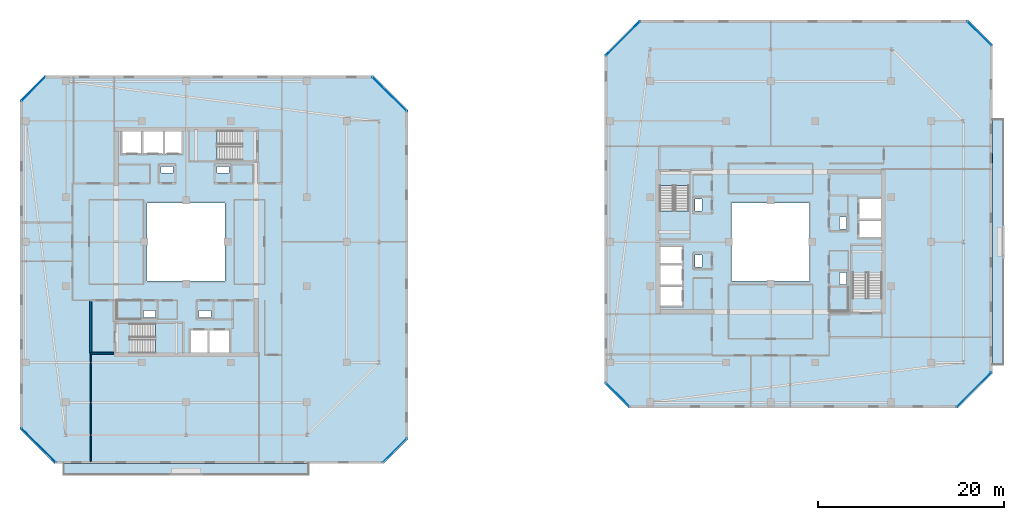
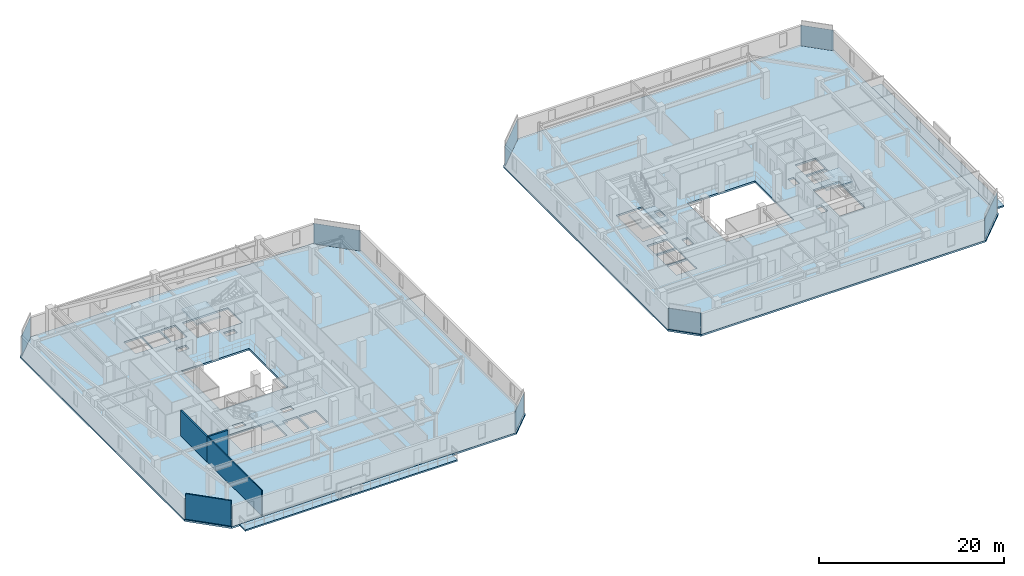
# One storey, part 20 of 34: 8 plates, 8 slabs, 4 walls, 12 elements without a shape of their own.
"""IFC4 building model written with IfcOpenShell, lengths in metres."""

import ifcopenshell
import ifcopenshell.guid

model = None  # the IFC model being written
_history = None  # IfcOwnerHistory: only IFC2X3 demands one
_inside = {}  # id of a spatial element -> (the spatial element, [elements in it])
_under = {}  # id of a project, library or spatial element -> (it, [spatial elements below it])
_declared = {}  # id of a project -> (the project, [libraries it declares])
_typed = {}  # id of a type object -> (the type object, [elements of that type])
_made_of = {}  # id of a material, layer set ... -> (it, [elements and type objects made of it])


def new_model(schema):
    """Start an empty IFC model of exactly this schema.

    Asked for "IFC4X3", IfcOpenShell would pick the latest addendum, in which some entities
    have other attributes; the version numbers below select the first issue.
    IFC2X3 requires an IfcOwnerHistory on every rooted entity: one is made here for all.
    """
    global model, _history
    if schema == "IFC4X3":
        model = ifcopenshell.file(schema_version=(4, 3, 0, 0))
    else:
        model = ifcopenshell.file(schema=schema)
    _inside.clear()
    _under.clear()
    _declared.clear()
    _typed.clear()
    _made_of.clear()
    _history = None
    if model.schema == "IFC2X3":
        org = make("IfcOrganization", Name="unknown")
        user = make(
            "IfcPersonAndOrganization",
            ThePerson=make("IfcPerson", FamilyName="unknown"),
            TheOrganization=org,
        )
        app = make(
            "IfcApplication",
            ApplicationDeveloper=org,
            Version="unknown",
            ApplicationFullName="unknown",
            ApplicationIdentifier="unknown",
        )
        _history = make(
            "IfcOwnerHistory",
            OwningUser=user,
            OwningApplication=app,
            ChangeAction="ADDED",
            CreationDate=0,
        )
    return model


def make(cls, **values):
    """One entity of the class cls with the attributes given. An attribute that is None is left unset."""
    return model.create_entity(
        cls, **{name: value for name, value in values.items() if value is not None}
    )


def rooted(cls, **values):
    """An entity with a GlobalId (a new one), such as an element, a storey or a relation."""
    return make(cls, GlobalId=ifcopenshell.guid.new(), OwnerHistory=_history, **values)


def si_unit(unit_type, name, prefix=None):
    """IfcSIUnit, for example si_unit("LENGTHUNIT", "METRE", prefix="MILLI")."""
    return make("IfcSIUnit", UnitType=unit_type, Prefix=prefix, Name=name)


def assignment(units):
    """IfcUnitAssignment: the units of a project."""
    return None if units is None else make("IfcUnitAssignment", Units=units)


def point(xyz):
    """IfcCartesianPoint."""
    return None if xyz is None else make("IfcCartesianPoint", Coordinates=xyz)


def direction(xyz):
    """IfcDirection."""
    return None if xyz is None else make("IfcDirection", DirectionRatios=xyz)


def frame(location, z_axis=None, x_axis=None):
    """IfcAxis2Placement3D, a coordinate frame: its origin and axes. An axis left out is left unset."""
    return make(
        "IfcAxis2Placement3D",
        Location=point(location),
        Axis=direction(z_axis),
        RefDirection=direction(x_axis),
    )


def frame_2d(location, x_axis=None):
    """IfcAxis2Placement2D, a coordinate frame in the plane: its origin and x axis."""
    return make(
        "IfcAxis2Placement2D", Location=point(location), RefDirection=direction(x_axis)
    )


def origin():
    """The frame at (0, 0, 0) with its axes left unset."""
    return frame((0.0, 0.0, 0.0))


def origin_2d():
    """The frame at (0, 0) in the plane with its x axis left unset."""
    return frame_2d((0.0, 0.0))


def place(relative_to, where):
    """IfcLocalPlacement: puts the frame where relative to a parent placement (None: the world)."""
    return make(
        "IfcLocalPlacement", PlacementRelTo=relative_to, RelativePlacement=where
    )


def context(
    kind, dimensions, precision=None, world=None, true_north=None, identifier=None
):
    """IfcGeometricRepresentationContext, for example the 3D "Model" context."""
    return make(
        "IfcGeometricRepresentationContext",
        ContextIdentifier=identifier,
        ContextType=kind,
        CoordinateSpaceDimension=dimensions,
        Precision=precision,
        WorldCoordinateSystem=world,
        TrueNorth=true_north,
    )


def subcontext(parent, identifier, kind, view, scale=None):
    """IfcGeometricRepresentationSubContext, for example "Body" below "Model"."""
    return make(
        "IfcGeometricRepresentationSubContext",
        ContextIdentifier=identifier,
        ContextType=kind,
        ParentContext=parent,
        TargetScale=scale,
        TargetView=view,
    )


def project(units=None, contexts=None):
    """IfcProject with its units and contexts."""
    return rooted(
        "IfcProject",
        Name="project",
        RepresentationContexts=contexts,
        UnitsInContext=assignment(units),
    )


def spatial(cls, under=None, at=None, **own):
    """A site, building, storey or space (cls), placed at a placement, below another one or the project."""
    s = rooted(cls, ObjectPlacement=at, **own)
    if under is not None:
        _under.setdefault(under.id(), (under, []))[1].append(s)
    return s


def polyline(points):
    """IfcPolyline through the points."""
    return make("IfcPolyline", Points=[point(p) for p in points])


def profile(cls, at=None, kind="AREA", **sizes):
    """A parametric profile (cls). Its sizes go by their IFC names, for example OverallWidth=200.0."""
    return make(cls, ProfileType=kind, Position=at, **sizes)


def rectangle(**sizes):
    """IfcRectangleProfileDef."""
    return profile("IfcRectangleProfileDef", **sizes)


def outline(outer, holes=None, kind="AREA"):
    """IfcArbitraryClosedProfileDef: a profile drawn as a closed curve; with holes, ...WithVoids."""
    if holes is None:
        return make("IfcArbitraryClosedProfileDef", ProfileType=kind, OuterCurve=outer)
    return make(
        "IfcArbitraryProfileDefWithVoids",
        ProfileType=kind,
        OuterCurve=outer,
        InnerCurves=holes,
    )


def extrude(swept, where, along, depth):
    """IfcExtrudedAreaSolid: the profile swept, set in the frame where, extruded along a direction by depth."""
    return make(
        "IfcExtrudedAreaSolid",
        SweptArea=swept,
        Position=where,
        ExtrudedDirection=direction(along),
        Depth=depth,
    )


def shape(context_of_items, identifier, shape_type, items):
    """IfcShapeRepresentation: the items that make up one representation, for example the "Body"."""
    return make(
        "IfcShapeRepresentation",
        ContextOfItems=context_of_items,
        RepresentationIdentifier=identifier,
        RepresentationType=shape_type,
        Items=items,
    )


def material(Name=None, Category=None):
    """IfcMaterial."""
    return make("IfcMaterial", Name=Name, Category=Category)


def layer(
    of_material, thickness, ventilated=None, Name=None, Category=None, Priority=None
):
    """IfcMaterialLayer: one layer of a wall or slab, of a material (None: an air gap)."""
    return make(
        "IfcMaterialLayer",
        Material=of_material,
        LayerThickness=thickness,
        IsVentilated=ventilated,
        Name=Name,
        Category=Category,
        Priority=Priority,
    )


def layer_set(layers, Name=None):
    """IfcMaterialLayerSet."""
    return make("IfcMaterialLayerSet", MaterialLayers=layers, LayerSetName=Name)


def made_of(thing, what):
    """Note that an element or type object is made of a material, layer set ...; save() writes the relation."""
    if what is not None:
        _made_of.setdefault(what.id(), (what, []))[1].append(thing)
    return thing


def type_object(cls, material=None, **own):
    """A type object (cls), such as IfcWallType, which elements share."""
    return made_of(rooted(cls, **own), material)


def element(
    cls,
    number,
    at=None,
    inside=None,
    cuts=None,
    type_object=None,
    material=None,
    context=None,
    identifier="Body",
    shape_type=None,
    held_by="IfcProductDefinitionShape",
    body=None,
    shapes=None,
    **own,
):
    """One element of the class cls, such as IfcWall. Its Tag is "e" and its number.

    at: its placement. inside: the storey or other place that contains it. cuts: it is an
    opening in that element (IfcRelVoidsElement). A single representation is given by context,
    identifier, shape_type and body (its items); several are given by shapes. held_by: the class
    of the entity that holds the representations. save() writes the other relations.
    """
    e = rooted(cls, Tag="e%d" % number, ObjectPlacement=at, **own)
    if body is not None:
        shapes = [shape(context, identifier, shape_type, body)]
    if shapes is not None:
        e.Representation = make(held_by, Representations=shapes)
    if inside is not None:
        _inside.setdefault(inside.id(), (inside, []))[1].append(e)
    if cuts is not None:
        rooted(
            "IfcRelVoidsElement", RelatingBuildingElement=cuts, RelatedOpeningElement=e
        )
    if type_object is not None:
        _typed.setdefault(type_object.id(), (type_object, []))[1].append(e)
    return made_of(e, material)


def aggregate(whole, parts):
    """IfcRelAggregates: a whole, such as a stair, and the parts it consists of."""
    return rooted("IfcRelAggregates", RelatingObject=whole, RelatedObjects=parts)


def save(model, path):
    """Write the relations noted so far, then the file.

    IfcRelAggregates (storeys below a building ...), IfcRelContainedInSpatialStructure (elements
    in a storey), IfcRelDefinesByType, IfcRelAssociatesMaterial and IfcRelDeclares: one each for
    every whole, place, type object, material and project.
    """
    for whole, parts in _under.values():
        aggregate(whole, parts)
    for where, things in _inside.values():
        rooted(
            "IfcRelContainedInSpatialStructure",
            RelatedElements=things,
            RelatingStructure=where,
        )
    for kind, things in _typed.values():
        rooted("IfcRelDefinesByType", RelatedObjects=things, RelatingType=kind)
    for what, things in _made_of.values():
        rooted("IfcRelAssociatesMaterial", RelatedObjects=things, RelatingMaterial=what)
    for by, libraries in _declared.values():
        rooted("IfcRelDeclares", RelatingContext=by, RelatedDefinitions=libraries)
    model.write(path)


model = new_model("IFC4")

# Units and contexts
model_context = context("Model", 3, precision=1e-05, world=origin(), true_north=direction((0.0, 1.0)))
body_context = subcontext(model_context, "Body", "Model", "MODEL_VIEW")
ifc_project = project(units=[si_unit("LENGTHUNIT", "METRE"), si_unit("AREAUNIT", "SQUARE_METRE"), si_unit("VOLUMEUNIT", "CUBIC_METRE"), si_unit("PLANEANGLEUNIT", "RADIAN"), si_unit("MASSUNIT", "GRAM", prefix="KILO")], contexts=[model_context])

# Site, building, storey
site_placement = place(None, origin())
site = spatial("IfcSite", under=ifc_project, at=site_placement, CompositionType="ELEMENT")
building_placement = place(site_placement, origin())
building = spatial("IfcBuilding", under=site, at=building_placement, Name="Thornwick Lancets Civic Towers", CompositionType="ELEMENT")
storey_placement = place(building_placement, frame((0.0, 0.0, 261.89990234375)))
storey = spatial("IfcBuildingStorey", under=building, at=storey_placement, Name="L70", CompositionType="ELEMENT", Elevation=261.89990234375)

# Curtain wall, plate
ifc_material_1 = material(Name="High-zone chamfered-corner unitised glass curtain wall", Category="glass")
curtain_wall_type = type_object("IfcCurtainWallType", Name="CW_SYS_05", PredefinedType="NOTDEFINED", material=ifc_material_1)
curtain_wall_1_placement = place(storey_placement, origin())
curtain_wall_1 = element("IfcCurtainWall", 1, at=curtain_wall_1_placement, inside=storey, type_object=curtain_wall_type, Name="L70 Curtain Wall CW-L70-A-E1", PredefinedType="NOTDEFINED")
ifc_material_2 = material(Name="Low-e double glazing clear glass", Category="glass")
ifc_layer_1 = layer(ifc_material_2, 0.035888671875, Name="Low-e double glazing clear glass")
ifc_layer_set_1 = layer_set([ifc_layer_1], Name="Low-e double glazing clear glass")
plate_type = type_object("IfcPlateType", Name="CW_PNL_GLASS", PredefinedType="CURTAIN_PANEL", material=ifc_layer_set_1)
plate_1_placement = place(storey_placement, frame((47.972900390625, 4.527099609375, 0.0), z_axis=(0.0, 0.0, 1.0), x_axis=(0.707106781187, 0.707106781187, 0.0)))
plate_1 = element("IfcPlate", 2, at=plate_1_placement, type_object=plate_type, Name="CW-L70-A-E1 Panel 0", PredefinedType="CURTAIN_PANEL", context=body_context, shape_type="SweptSolid", body=[
    extrude(rectangle(XDim=3.649169921875, YDim=0.035888671875, at=origin_2d()), origin(), (0.0, 0.0, 1.0), 2.699951171875),
])
aggregate(curtain_wall_1, [plate_1])

curtain_wall_2_placement = place(storey_placement, origin())
curtain_wall_2 = element("IfcCurtainWall", 3, at=curtain_wall_2_placement, inside=storey, type_object=curtain_wall_type, Name="L70 Curtain Wall CW-L70-A-E3", PredefinedType="NOTDEFINED")
plate_2_placement = place(storey_placement, frame((47.41943359375, 42.91943359375, 0.0), z_axis=(0.0, 0.0, 1.0), x_axis=(-0.707106781187, 0.707106781187, 0.0)))
plate_2 = element("IfcPlate", 4, at=plate_2_placement, type_object=plate_type, Name="CW-L70-A-E3 Panel 0", PredefinedType="CURTAIN_PANEL", context=body_context, shape_type="SweptSolid", body=[
    extrude(rectangle(XDim=5.205078125, YDim=0.035888671875, at=origin_2d()), origin(), (0.0, 0.0, 1.0), 2.699951171875),
])
aggregate(curtain_wall_2, [plate_2])

curtain_wall_3_placement = place(storey_placement, origin())
curtain_wall_3 = element("IfcCurtainWall", 5, at=curtain_wall_3_placement, inside=storey, type_object=curtain_wall_type, Name="L70 Curtain Wall CW-L70-A-E5", PredefinedType="NOTDEFINED")
plate_3_placement = place(storey_placement, frame((9.027099609375, 43.472900390625, 0.0), z_axis=(0.0, 0.0, 1.0), x_axis=(-0.707106781187, -0.707106781187, 0.0)))
plate_3 = element("IfcPlate", 6, at=plate_3_placement, type_object=plate_type, Name="CW-L70-A-E5 Panel 0", PredefinedType="CURTAIN_PANEL", context=body_context, shape_type="SweptSolid", body=[
    extrude(rectangle(XDim=3.649169921875, YDim=0.035888671875, at=origin_2d()), origin(), (0.0, 0.0, 1.0), 2.699951171875),
])
aggregate(curtain_wall_3, [plate_3])

curtain_wall_4_placement = place(storey_placement, origin())
curtain_wall_4 = element("IfcCurtainWall", 7, at=curtain_wall_4_placement, inside=storey, type_object=curtain_wall_type, Name="L70 Curtain Wall CW-L70-A-E7", PredefinedType="NOTDEFINED")
plate_4_placement = place(storey_placement, frame((9.580810546875, 5.080810546875, 0.0), z_axis=(0.0, 0.0, 1.0), x_axis=(0.707106781187, -0.707106781187, 0.0)))
plate_4 = element("IfcPlate", 8, at=plate_4_placement, type_object=plate_type, Name="CW-L70-A-E7 Panel 0", PredefinedType="CURTAIN_PANEL", context=body_context, shape_type="SweptSolid", body=[
    extrude(rectangle(XDim=5.205078125, YDim=0.035888671875, at=origin_2d()), origin(), (0.0, 0.0, 1.0), 2.699951171875),
])
aggregate(curtain_wall_4, [plate_4])

curtain_wall_5_placement = place(storey_placement, origin())
curtain_wall_5 = element("IfcCurtainWall", 9, at=curtain_wall_5_placement, inside=storey, type_object=curtain_wall_type, Name="L70 Curtain Wall CW-L70-B-E1", PredefinedType="NOTDEFINED")
plate_5_placement = place(storey_placement, frame((110.419189453125, 11.080810546875, 0.0), z_axis=(0.0, 0.0, 1.0), x_axis=(0.707106781187, 0.707106781187, 0.0)))
plate_5 = element("IfcPlate", 10, at=plate_5_placement, type_object=plate_type, Name="CW-L70-B-E1 Panel 0", PredefinedType="CURTAIN_PANEL", context=body_context, shape_type="SweptSolid", body=[
    extrude(rectangle(XDim=5.205078125, YDim=0.035888671875, at=origin_2d()), origin(), (0.0, 0.0, 1.0), 2.699951171875),
])
aggregate(curtain_wall_5, [plate_5])

curtain_wall_6_placement = place(storey_placement, origin())
curtain_wall_6 = element("IfcCurtainWall", 11, at=curtain_wall_6_placement, inside=storey, type_object=curtain_wall_type, Name="L70 Curtain Wall CW-L70-B-E3", PredefinedType="NOTDEFINED")
plate_6_placement = place(storey_placement, frame((110.972900390625, 49.472900390625, 0.0), z_axis=(0.0, 0.0, 1.0), x_axis=(-0.707106781187, 0.707106781187, 0.0)))
plate_6 = element("IfcPlate", 12, at=plate_6_placement, type_object=plate_type, Name="CW-L70-B-E3 Panel 0", PredefinedType="CURTAIN_PANEL", context=body_context, shape_type="SweptSolid", body=[
    extrude(rectangle(XDim=3.649169921875, YDim=0.035888671875, at=origin_2d()), origin(), (0.0, 0.0, 1.0), 2.699951171875),
])
aggregate(curtain_wall_6, [plate_6])

curtain_wall_7_placement = place(storey_placement, origin())
curtain_wall_7 = element("IfcCurtainWall", 13, at=curtain_wall_7_placement, inside=storey, type_object=curtain_wall_type, Name="L70 Curtain Wall CW-L70-B-E5", PredefinedType="NOTDEFINED")
plate_7_placement = place(storey_placement, frame((72.580810546875, 48.91943359375, 0.0), z_axis=(0.0, 0.0, 1.0), x_axis=(-0.707106781187, -0.707106781187, 0.0)))
plate_7 = element("IfcPlate", 14, at=plate_7_placement, type_object=plate_type, Name="CW-L70-B-E5 Panel 0", PredefinedType="CURTAIN_PANEL", context=body_context, shape_type="SweptSolid", body=[
    extrude(rectangle(XDim=5.205078125, YDim=0.035888671875, at=origin_2d()), origin(), (0.0, 0.0, 1.0), 2.699951171875),
])
aggregate(curtain_wall_7, [plate_7])

curtain_wall_8_placement = place(storey_placement, origin())
curtain_wall_8 = element("IfcCurtainWall", 15, at=curtain_wall_8_placement, inside=storey, type_object=curtain_wall_type, Name="L70 Curtain Wall CW-L70-B-E7", PredefinedType="NOTDEFINED")
plate_8_placement = place(storey_placement, frame((72.027099609375, 10.527099609375, 0.0), z_axis=(0.0, 0.0, 1.0), x_axis=(0.707106781187, -0.707106781187, 0.0)))
plate_8 = element("IfcPlate", 16, at=plate_8_placement, type_object=plate_type, Name="CW-L70-B-E7 Panel 0", PredefinedType="CURTAIN_PANEL", context=body_context, shape_type="SweptSolid", body=[
    extrude(rectangle(XDim=3.649169921875, YDim=0.035888671875, at=origin_2d()), origin(), (0.0, 0.0, 1.0), 2.699951171875),
])
aggregate(curtain_wall_8, [plate_8])

# Slabs
ifc_material_3 = material(Name="Post-tensioned concrete C40/50", Category="concrete")
ifc_layer_2 = layer(ifc_material_3, 0.199951171875, Name="Post-tensioned concrete C40/50")
ifc_layer_set_2 = layer_set([ifc_layer_2], Name="Post-tensioned concrete C40/50")
slab_type_1 = type_object("IfcSlabType", Name="SLAB_BALCONY_200", PredefinedType="FLOOR", material=ifc_layer_set_2)
slab_1_placement = place(storey_placement, frame((0.0, 0.0, -0.199951171875)))
element("IfcSlab", 17, at=slab_1_placement, inside=storey, type_object=slab_type_1, Name="L70 Tower A Planted Balcony Slab S", PredefinedType="FLOOR", context=body_context, shape_type="SweptSolid", body=[
    extrude(outline(polyline([(12.300048828125, 1.85009765625), (38.699951171875, 1.85009765625), (38.699951171875, 3.10009765625), (12.300048828125, 3.10009765625), (12.300048828125, 1.85009765625)])), origin(), (0.0, 0.0, 1.0), 0.199951171875),
])
slab_2_placement = place(storey_placement, frame((0.0, 0.0, -0.199951171875)))
element("IfcSlab", 18, at=slab_2_placement, inside=storey, type_object=slab_type_1, Name="L70 Tower B Planted Balcony Slab E", PredefinedType="FLOOR", context=body_context, shape_type="SweptSolid", body=[
    extrude(outline(polyline([(112.39990234375, 13.800048828125), (113.64990234375, 13.800048828125), (113.64990234375, 40.199951171875), (112.39990234375, 40.199951171875), (112.39990234375, 13.800048828125)])), origin(), (0.0, 0.0, 1.0), 0.199951171875),
])

# Stair, slab
ifc_material_4 = material(Name="Concrete C40/50", Category="concrete")
stair_type = type_object("IfcStairType", Name="STAIR_DL_3600", PredefinedType="HALF_TURN_STAIR", material=ifc_material_4)
stair_1_placement = place(storey_placement, origin())
stair_1 = element("IfcStair", 19, at=stair_1_placement, inside=storey, type_object=stair_type, Name="L70 Tower A South Exit Stair ST-A1", PredefinedType="HALF_TURN_STAIR")
ifc_layer_3 = layer(ifc_material_4, 0.25, Name="Concrete C40/50")
ifc_layer_set_3 = layer_set([ifc_layer_3], Name="Concrete C40/50")
slab_type_2 = type_object("IfcSlabType", Name="SLAB_LANDING_200", PredefinedType="LANDING", material=ifc_layer_set_3)
slab_3_placement = place(storey_placement, frame((0.0, 0.0, 1.60302734375)))
slab_3 = element("IfcSlab", 20, at=slab_3_placement, type_object=slab_type_2, Name="ST-A1 landing 1", PredefinedType="LANDING", context=body_context, shape_type="SweptSolid", body=[
    extrude(outline(polyline([(22.169921875, 14.93994140625), (25.14990234375, 14.93994140625), (25.14990234375, 18.260009765625), (22.169921875, 18.260009765625), (22.169921875, 14.93994140625)])), origin(), (0.0, 0.0, 1.0), 0.199951171875),
])
aggregate(stair_1, [slab_3])

stair_2_placement = place(storey_placement, origin())
stair_2 = element("IfcStair", 21, at=stair_2_placement, inside=storey, type_object=stair_type, Name="L70 Tower A North Exit Stair ST-A2", PredefinedType="HALF_TURN_STAIR")
slab_4_placement = place(storey_placement, frame((0.0, 0.0, 1.60302734375)))
slab_4 = element("IfcSlab", 22, at=slab_4_placement, type_object=slab_type_2, Name="ST-A2 landing 1", PredefinedType="LANDING", context=body_context, shape_type="SweptSolid", body=[
    extrude(outline(polyline([(28.830078125, 39.06005859375), (25.85009765625, 39.06005859375), (25.85009765625, 35.739990234375), (28.830078125, 35.739990234375), (28.830078125, 39.06005859375)])), origin(), (0.0, 0.0, 1.0), 0.199951171875),
])
aggregate(stair_2, [slab_4])

stair_3_placement = place(storey_placement, origin())
stair_3 = element("IfcStair", 23, at=stair_3_placement, inside=storey, type_object=stair_type, Name="L70 Tower B East Exit Stair ST-B1", PredefinedType="HALF_TURN_STAIR")
slab_5_placement = place(storey_placement, frame((0.0, 0.0, 1.60302734375)))
slab_5 = element("IfcSlab", 24, at=slab_5_placement, type_object=slab_type_2, Name="ST-B1 landing 1", PredefinedType="LANDING", context=body_context, shape_type="SweptSolid", body=[
    extrude(outline(polyline([(100.56005859375, 23.669921875), (100.56005859375, 26.64990234375), (97.239990234375, 26.64990234375), (97.239990234375, 23.669921875), (100.56005859375, 23.669921875)])), origin(), (0.0, 0.0, 1.0), 0.199951171875),
])
aggregate(stair_3, [slab_5])

stair_4_placement = place(storey_placement, origin())
stair_4 = element("IfcStair", 25, at=stair_4_placement, inside=storey, type_object=stair_type, Name="L70 Tower B West Exit Stair ST-B2", PredefinedType="HALF_TURN_STAIR")
slab_6_placement = place(storey_placement, frame((0.0, 0.0, 1.60302734375)))
slab_6 = element("IfcSlab", 26, at=slab_6_placement, type_object=slab_type_2, Name="ST-B2 landing 1", PredefinedType="LANDING", context=body_context, shape_type="SweptSolid", body=[
    extrude(outline(polyline([(76.43994140625, 30.330078125), (76.43994140625, 27.35009765625), (79.760009765625, 27.35009765625), (79.760009765625, 30.330078125), (76.43994140625, 30.330078125)])), origin(), (0.0, 0.0, 1.0), 0.199951171875),
])
aggregate(stair_4, [slab_6])

# Slabs
ifc_layer_4 = layer(ifc_material_3, 0.239990234375, Name="Post-tensioned concrete C40/50")
ifc_layer_set_4 = layer_set([ifc_layer_4], Name="Post-tensioned concrete C40/50")
slab_type_3 = type_object("IfcSlabType", Name="SLAB_PT_240", PredefinedType="FLOOR", material=ifc_layer_set_4)
slab_7_placement = place(storey_placement, frame((0.0, 0.0, -0.239990234375)))
element("IfcSlab", 27, at=slab_7_placement, inside=storey, type_object=slab_type_3, Name="L70 Tower A Floor Slab", PredefinedType="FLOOR", context=body_context, shape_type="SweptSolid", body=[
    extrude(outline(polyline([(11.30810546875, 3.10009765625), (46.800048828125, 3.10009765625), (49.39990234375, 5.699951171875), (49.39990234375, 41.19189453125), (45.69189453125, 44.89990234375), (10.199951171875, 44.89990234375), (7.60009765625, 42.300048828125), (7.60009765625, 6.80810546875), (11.30810546875, 3.10009765625)]), holes=[polyline([(21.300048828125, 22.800048828125), (29.699951171875, 22.800048828125), (29.699951171875, 31.199951171875), (21.300048828125, 31.199951171875), (21.300048828125, 22.800048828125)]), polyline([(19.429931640625, 15.0), (25.10009765625, 15.0), (25.10009765625, 18.199951171875), (19.429931640625, 18.199951171875), (19.429931640625, 15.0)]), polyline([(31.570068359375, 39.0), (25.89990234375, 39.0), (25.89990234375, 35.800048828125), (31.570068359375, 35.800048828125), (31.570068359375, 39.0)]), polyline([(26.0, 15.0), (27.800048828125, 15.0), (27.800048828125, 17.550048828125), (26.0, 17.550048828125), (26.0, 15.0)]), polyline([(28.0, 15.0), (30.14990234375, 15.0), (30.14990234375, 17.550048828125), (28.0, 17.550048828125), (28.0, 15.0)]), polyline([(23.199951171875, 36.449951171875), (25.0, 36.449951171875), (25.0, 39.0), (23.199951171875, 39.0), (23.199951171875, 36.449951171875)]), polyline([(20.85009765625, 36.449951171875), (23.0, 36.449951171875), (23.0, 39.0), (20.85009765625, 39.0), (20.85009765625, 36.449951171875)]), polyline([(18.60009765625, 36.449951171875), (20.699951171875, 36.449951171875), (20.699951171875, 39.0), (18.60009765625, 39.0), (18.60009765625, 36.449951171875)]), polyline([(26.89990234375, 18.85009765625), (28.199951171875, 18.85009765625), (28.199951171875, 19.580078125), (26.89990234375, 19.580078125), (26.89990234375, 18.85009765625)]), polyline([(20.89990234375, 18.85009765625), (22.199951171875, 18.85009765625), (22.199951171875, 19.580078125), (20.89990234375, 19.580078125), (20.89990234375, 18.85009765625)]), polyline([(22.800048828125, 34.419921875), (24.10009765625, 34.419921875), (24.10009765625, 35.14990234375), (22.800048828125, 35.14990234375), (22.800048828125, 34.419921875)]), polyline([(28.800048828125, 34.419921875), (30.10009765625, 34.419921875), (30.10009765625, 35.14990234375), (28.800048828125, 35.14990234375), (28.800048828125, 34.419921875)])]), origin(), (0.0, 0.0, 1.0), 0.239990234375),
])
slab_8_placement = place(storey_placement, frame((0.0, 0.0, -0.239990234375)))
element("IfcSlab", 28, at=slab_8_placement, inside=storey, type_object=slab_type_3, Name="L70 Tower B Floor Slab", PredefinedType="FLOOR", context=body_context, shape_type="SweptSolid", body=[
    extrude(outline(polyline([(73.199951171875, 9.10009765625), (108.69189453125, 9.10009765625), (112.39990234375, 12.80810546875), (112.39990234375, 48.300048828125), (109.800048828125, 50.89990234375), (74.30810546875, 50.89990234375), (70.60009765625, 47.19189453125), (70.60009765625, 11.699951171875), (73.199951171875, 9.10009765625)]), holes=[polyline([(84.300048828125, 22.800048828125), (92.699951171875, 22.800048828125), (92.699951171875, 31.199951171875), (84.300048828125, 31.199951171875), (84.300048828125, 22.800048828125)]), polyline([(100.5, 20.929931640625), (100.5, 26.60009765625), (97.300048828125, 26.60009765625), (97.300048828125, 20.929931640625), (100.5, 20.929931640625)]), polyline([(76.5, 33.070068359375), (76.5, 27.39990234375), (79.699951171875, 27.39990234375), (79.699951171875, 33.070068359375), (76.5, 33.070068359375)]), polyline([(97.949951171875, 27.5), (100.5, 27.5), (100.5, 29.300048828125), (97.949951171875, 29.300048828125), (97.949951171875, 27.5)]), polyline([(97.949951171875, 29.5), (100.5, 29.5), (100.5, 31.64990234375), (97.949951171875, 31.64990234375), (97.949951171875, 29.5)]), polyline([(76.5, 24.699951171875), (79.050048828125, 24.699951171875), (79.050048828125, 26.5), (76.5, 26.5), (76.5, 24.699951171875)]), polyline([(76.5, 22.35009765625), (79.050048828125, 22.35009765625), (79.050048828125, 24.5), (76.5, 24.5), (76.5, 22.35009765625)]), polyline([(76.5, 20.10009765625), (79.050048828125, 20.10009765625), (79.050048828125, 22.199951171875), (76.5, 22.199951171875), (76.5, 20.10009765625)]), polyline([(95.919921875, 28.39990234375), (96.64990234375, 28.39990234375), (96.64990234375, 29.699951171875), (95.919921875, 29.699951171875), (95.919921875, 28.39990234375)]), polyline([(95.919921875, 22.39990234375), (96.64990234375, 22.39990234375), (96.64990234375, 23.699951171875), (95.919921875, 23.699951171875), (95.919921875, 22.39990234375)]), polyline([(80.35009765625, 24.300048828125), (81.080078125, 24.300048828125), (81.080078125, 25.60009765625), (80.35009765625, 25.60009765625), (80.35009765625, 24.300048828125)]), polyline([(80.35009765625, 30.300048828125), (81.080078125, 30.300048828125), (81.080078125, 31.60009765625), (80.35009765625, 31.60009765625), (80.35009765625, 30.300048828125)])]), origin(), (0.0, 0.0, 1.0), 0.239990234375),
])

# Walls
ifc_material_5 = material(Name="Concrete blockwork C40/50", Category="masonry")
ifc_layer_5 = layer(ifc_material_5, 0.199951171875, Name="Concrete blockwork C40/50")
ifc_layer_set_5 = layer_set([ifc_layer_5], Name="Concrete blockwork C40/50")
wall_type_1 = type_object("IfcWallType", Name="WALL_COMP_200", PredefinedType="STANDARD", material=ifc_layer_set_5)
wall_1_placement = place(storey_placement, frame((15.199951171875, 15.0, 0.0), z_axis=(0.0, 0.0, 1.0), x_axis=(1.0, 0.0, 0.0)))
element("IfcWall", 29, at=wall_1_placement, inside=storey, type_object=wall_type_1, Name="L70 Partition L70-A-FFLOB1 E1", PredefinedType="STANDARD", context=body_context, shape_type="SweptSolid", body=[
    extrude(rectangle(XDim=2.5, YDim=0.199951171875, at=frame_2d((1.25, 0.0))), origin(), (0.0, 0.0, 1.0), 3.340087890625),
])
wall_2_placement = place(storey_placement, frame((15.199951171875, 20.699951171875, 0.0), z_axis=(0.0, 0.0, 1.0), x_axis=(0.0, -1.0, 0.0)))
element("IfcWall", 30, at=wall_2_placement, inside=storey, type_object=wall_type_1, Name="L70 Partition L70-A-FFLOB1 E4", PredefinedType="STANDARD", context=body_context, shape_type="SweptSolid", body=[
    extrude(rectangle(XDim=5.699951171875, YDim=0.199951171875, at=frame_2d((2.85009765625, 0.0))), origin(), (0.0, 0.0, 1.0), 3.340087890625),
])
ifc_material_6 = material(Name="Acoustic gypsum board partition")
ifc_layer_6 = layer(ifc_material_6, 0.1201171875, Name="Acoustic gypsum board partition")
ifc_layer_set_6 = layer_set([ifc_layer_6], Name="Acoustic gypsum board partition")
wall_type_2 = type_object("IfcWallType", Name="WALL_PART_120", PredefinedType="PARTITIONING", material=ifc_layer_set_6)
wall_3_placement = place(storey_placement, frame((15.199951171875, 15.0, 0.0), z_axis=(0.0, 0.0, 1.0), x_axis=(0.0, -1.0, 0.0)))
element("IfcWall", 31, at=wall_3_placement, inside=storey, type_object=wall_type_2, Name="L70 Partition L70-A-W1 E5", PredefinedType="PARTITIONING", context=body_context, shape_type="SweptSolid", body=[
    extrude(rectangle(XDim=11.719970703125, YDim=0.1201171875, at=frame_2d((5.85986328125, 0.0))), origin(), (0.0, 0.0, 1.0), 3.340087890625),
])
wall_4_placement = place(storey_placement, frame((11.382568359375, 3.280029296875, 0.0), z_axis=(0.0, 0.0, 1.0), x_axis=(-0.707106781187, 0.707106781187, 0.0)))
element("IfcWall", 32, at=wall_4_placement, inside=storey, type_object=wall_type_2, Name="L70 Partition L70-A-W1 E7", PredefinedType="PARTITIONING", context=body_context, shape_type="SweptSolid", body=[
    extrude(rectangle(XDim=5.0947265625, YDim=0.1201171875, at=frame_2d((2.54736328125, 0.0))), origin(), (0.0, 0.0, 1.0), 3.340087890625),
])

save(model, "model.ifc")
